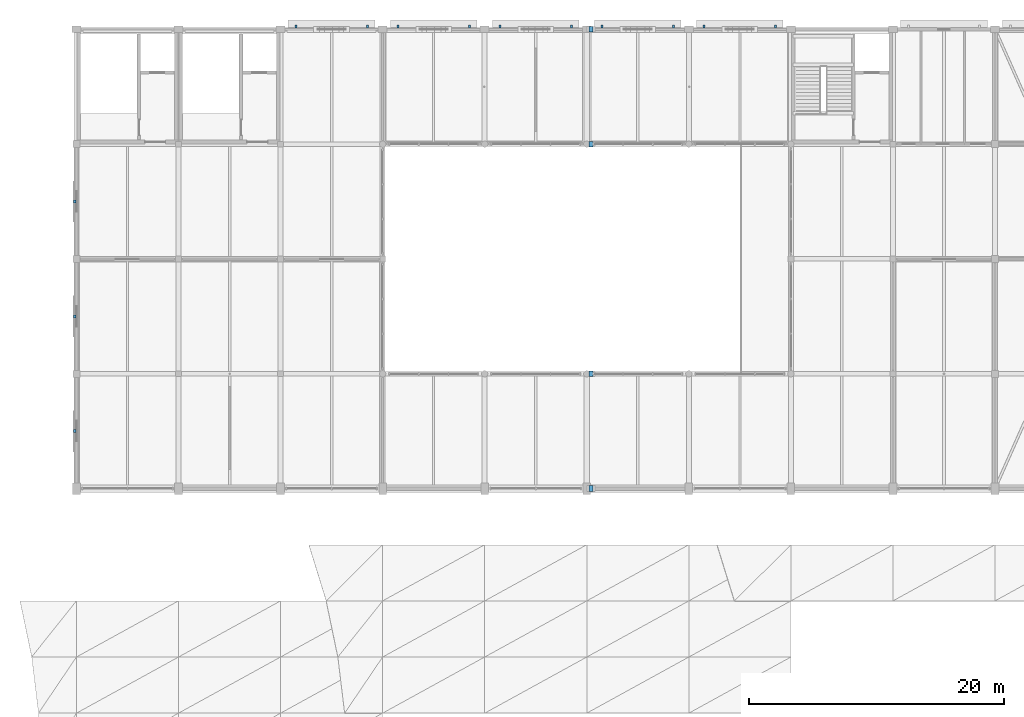
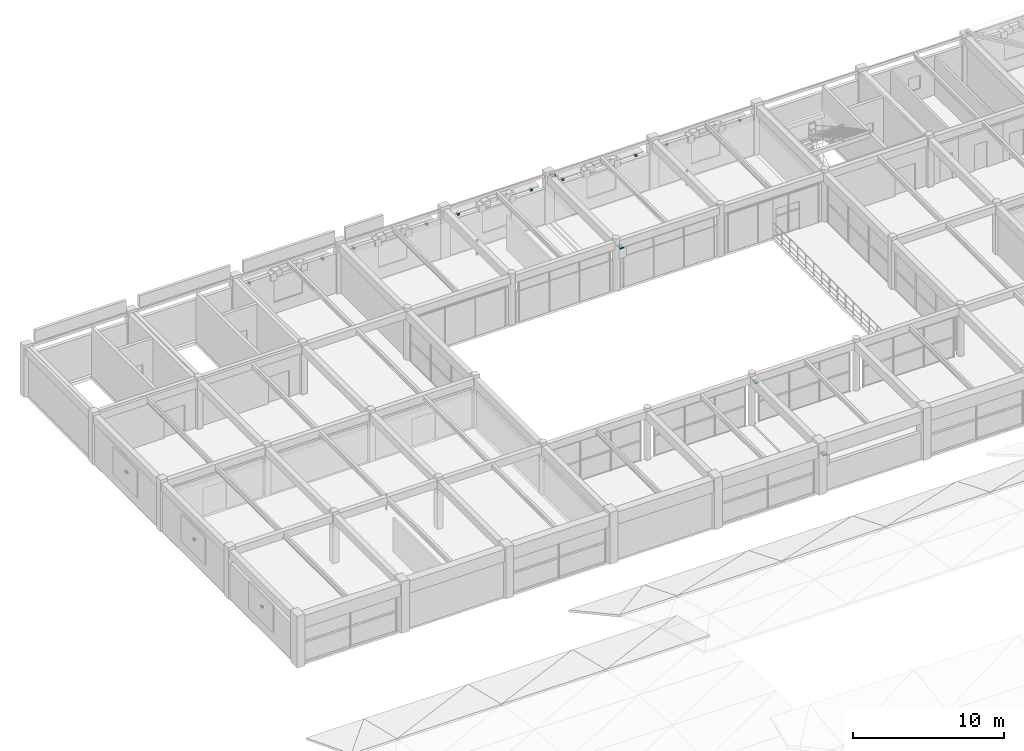
# One storey, part 120 of 126: 17 discrete accessories.
"""IFC4 building model written with IfcOpenShell, lengths in metres."""

from ifc_helpers import new_model, si_unit, direction, frame, origin, origin_2d, place, context, subcontext, project, spatial, rectangle, extrude, material, layer, layer_set, type_object, element, save


model = new_model("IFC4")

# Units and contexts
model_context = context("Model", 3, precision=1e-05, world=origin(), true_north=direction((0.0, 1.0)))
body_context = subcontext(model_context, "Body", "Model", "MODEL_VIEW")
ifc_project = project(units=[si_unit("LENGTHUNIT", "METRE"), si_unit("AREAUNIT", "SQUARE_METRE"), si_unit("VOLUMEUNIT", "CUBIC_METRE"), si_unit("PLANEANGLEUNIT", "RADIAN"), si_unit("MASSUNIT", "GRAM", prefix="KILO")], contexts=[model_context])

# Site, building, storey
site_placement = place(None, origin())
site = spatial("IfcSite", under=ifc_project, at=site_placement, CompositionType="ELEMENT")
building_placement = place(site_placement, origin())
building = spatial("IfcBuilding", under=site, at=building_placement, Name="Varnabhumi Central Station", CompositionType="ELEMENT")
storey_placement = place(building_placement, frame((0.0, 0.0, 16.199951171875)))
storey = spatial("IfcBuildingStorey", under=building, at=storey_placement, Name="L03", CompositionType="ELEMENT", Elevation=16.199951171875)

# Discrete accessories
ifc_material = material(Name="Structural steel E350", Category="steel")
ifc_layer_1 = layer(ifc_material, 0.080078125, Name="Structural steel E350", Category="steel")
ifc_layer_set_1 = layer_set([ifc_layer_1], Name="Structural steel E350")
discrete_accessory_type_1 = type_object("IfcDiscreteAccessoryType", Name="ACC-BEARING-SHOE", PredefinedType="SHOE", material=ifc_layer_set_1)
for number, where, z_axis, x_axis, name in (
    (1, (64.324951171875, 80.0, 2.8701171875), (0.0, 0.0, 1.0), (1.0, 0.0, 0.0), "Movement Joint Bearing L03-K-9"),
    (2, (64.324951171875, 89.0, 3.27001953125), (0.0, 0.0, 1.0), (1.0, 0.0, 0.0), "Movement Joint Bearing L03-L-9"),
    (3, (64.324951171875, 107.0, 3.27001953125), (0.0, 0.0, 1.0), (1.0, 0.0, 0.0), "Movement Joint Bearing L03-N-9"),
    (4, (64.324951171875, 116.0, 3.6201171875), (0.0, 0.0, 1.0), (1.0, 0.0, 0.0), "Movement Joint Bearing L03-P-9"),
):
    element("IfcDiscreteAccessory", number, at=place(storey_placement, frame(where, z_axis=z_axis, x_axis=x_axis)), inside=storey, type_object=discrete_accessory_type_1, Name=name, PredefinedType="SHOE", context=body_context, shape_type="SweptSolid", body=[
        extrude(rectangle(XDim=0.300048828125, YDim=0.449951171875, at=origin_2d()), origin(), (0.0, 0.0, 1.0), 0.080078125),
    ])
ifc_layer_2 = layer(ifc_material, 0.159912109375, Name="Structural steel E350", Category="steel")
ifc_layer_set_2 = layer_set([ifc_layer_2], Name="Structural steel E350")
discrete_accessory_type_2 = type_object("IfcDiscreteAccessoryType", Name="ACC-SHADE-BRKT", PredefinedType="BRACKET", material=ifc_layer_set_2)
for number, where, z_axis, x_axis, name in (
    (5, (41.199951171875, 116.2099609375, 2.81005859375), (0.0, 0.0, 1.0), (1.0, 0.0, 0.0), "Chajja Bracket N-L03-3L"),
    (6, (46.800048828125, 116.2099609375, 2.81005859375), (0.0, 0.0, 1.0), (1.0, 0.0, 0.0), "Chajja Bracket N-L03-3R"),
    (7, (49.199951171875, 116.2099609375, 2.81005859375), (0.0, 0.0, 1.0), (1.0, 0.0, 0.0), "Chajja Bracket N-L03-4L"),
    (8, (54.800048828125, 116.2099609375, 2.81005859375), (0.0, 0.0, 1.0), (1.0, 0.0, 0.0), "Chajja Bracket N-L03-4R"),
    (9, (57.199951171875, 116.2099609375, 2.81005859375), (0.0, 0.0, 1.0), (1.0, 0.0, 0.0), "Chajja Bracket N-L03-5L"),
    (10, (62.800048828125, 116.2099609375, 2.81005859375), (0.0, 0.0, 1.0), (1.0, 0.0, 0.0), "Chajja Bracket N-L03-5R"),
    (11, (65.199951171875, 116.2099609375, 2.81005859375), (0.0, 0.0, 1.0), (1.0, 0.0, 0.0), "Chajja Bracket N-L03-6L"),
    (12, (70.800048828125, 116.2099609375, 2.81005859375), (0.0, 0.0, 1.0), (1.0, 0.0, 0.0), "Chajja Bracket N-L03-6R"),
    (13, (73.199951171875, 116.2099609375, 2.81005859375), (0.0, 0.0, 1.0), (1.0, 0.0, 0.0), "Chajja Bracket N-L03-7L"),
    (14, (78.800048828125, 116.2099609375, 2.81005859375), (0.0, 0.0, 1.0), (1.0, 0.0, 0.0), "Chajja Bracket N-L03-7R"),
    (15, (23.8701171875, 84.5, 1.8701171875), (0.0, 0.0, 1.0), (1.0, 0.0, 0.0), "Celosia Bracket N-L03-E1"),
    (16, (23.8701171875, 93.5, 1.8701171875), (0.0, 0.0, 1.0), (1.0, 0.0, 0.0), "Celosia Bracket N-L03-E2"),
    (17, (23.8701171875, 102.5, 1.8701171875), (0.0, 0.0, 1.0), (1.0, 0.0, 0.0), "Celosia Bracket N-L03-E3"),
):
    element("IfcDiscreteAccessory", number, at=place(storey_placement, frame(where, z_axis=z_axis, x_axis=x_axis)), inside=storey, type_object=discrete_accessory_type_2, Name=name, PredefinedType="BRACKET", context=body_context, shape_type="SweptSolid", body=[
        extrude(rectangle(XDim=0.159912109375, YDim=0.239990234375, at=origin_2d()), origin(), (0.0, 0.0, 1.0), 0.159912109375),
    ])

save(model, "model.ifc")
